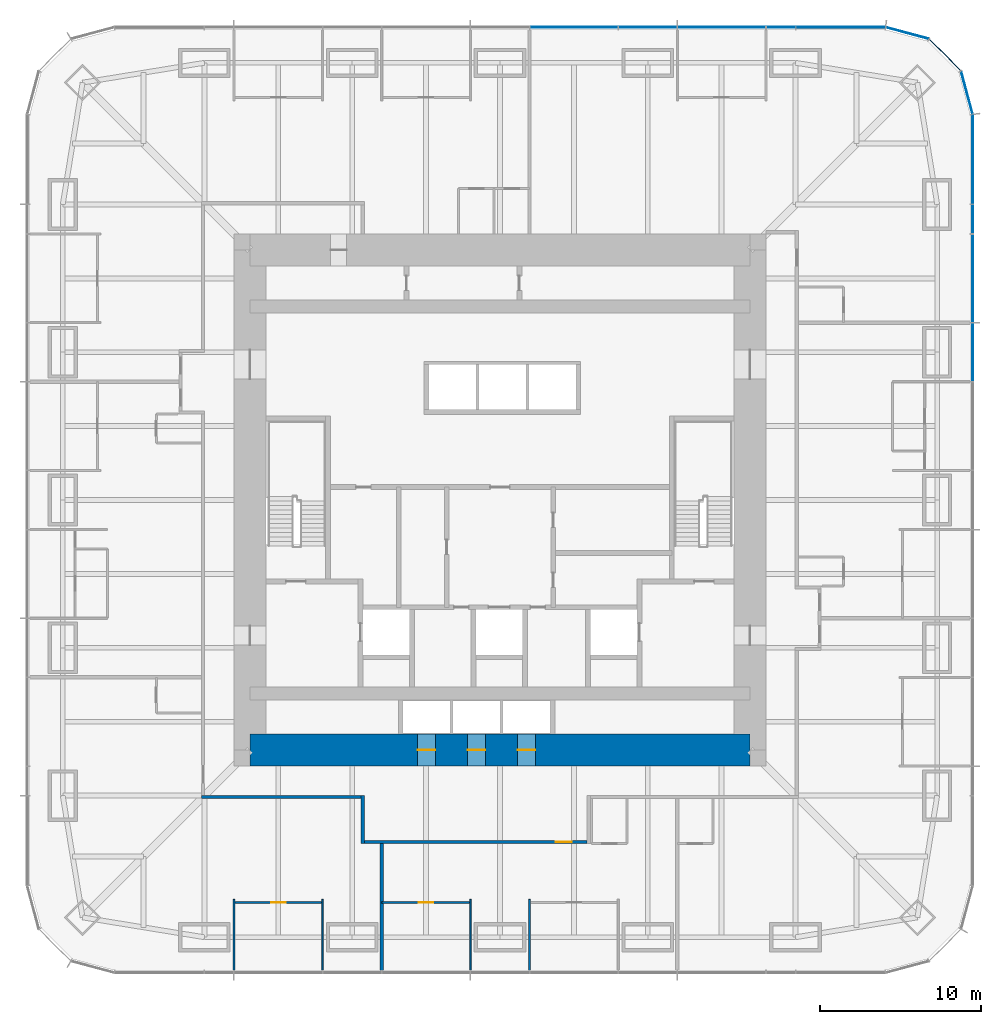
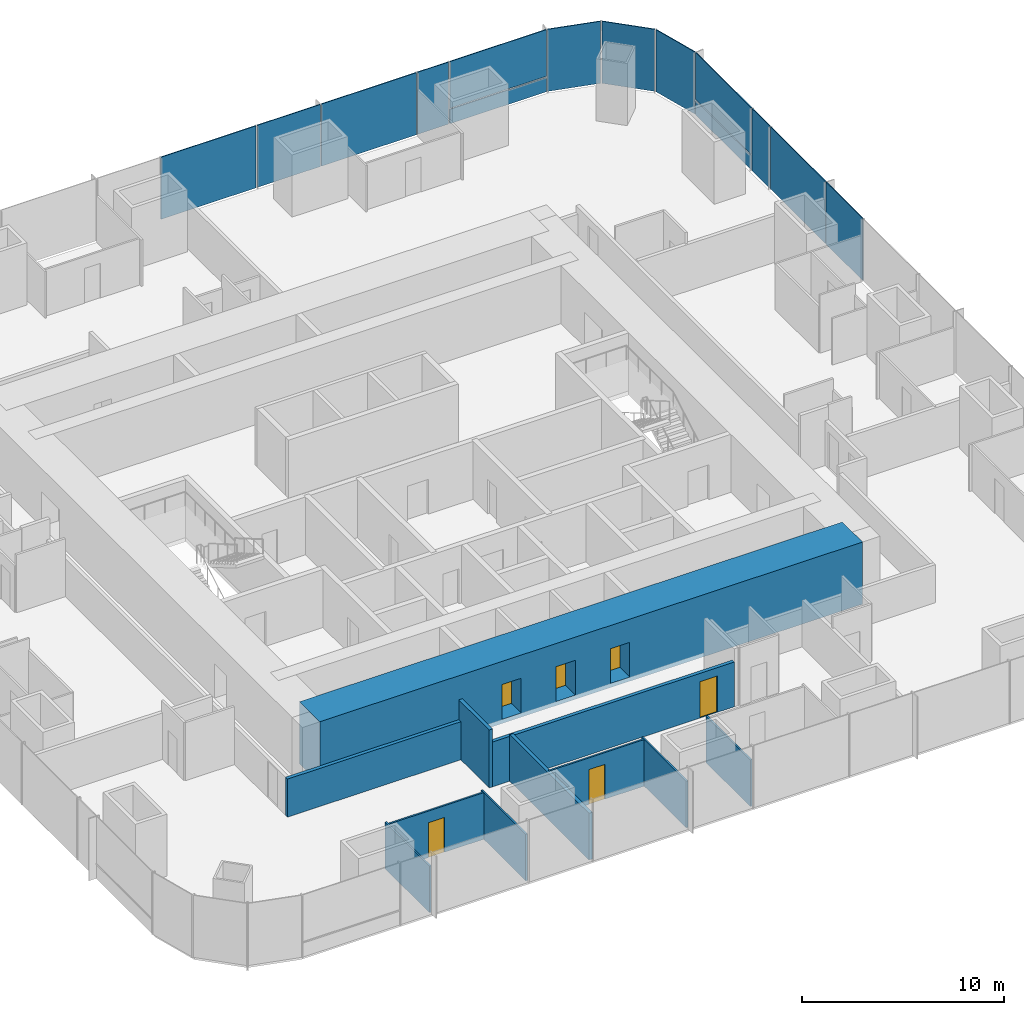
# One storey, part 8 of 13: 14 plates, 11 walls, 6 doors, 6 openings, 3 elements without a shape of their own.
"""IFC4 building model written with IfcOpenShell, lengths in metres."""

import ifcopenshell
import ifcopenshell.guid

model = None  # the IFC model being written
_history = None  # IfcOwnerHistory: only IFC2X3 demands one
_inside = {}  # id of a spatial element -> (the spatial element, [elements in it])
_under = {}  # id of a project, library or spatial element -> (it, [spatial elements below it])
_declared = {}  # id of a project -> (the project, [libraries it declares])
_typed = {}  # id of a type object -> (the type object, [elements of that type])
_made_of = {}  # id of a material, layer set ... -> (it, [elements and type objects made of it])


def new_model(schema):
    """Start an empty IFC model of exactly this schema.

    Asked for "IFC4X3", IfcOpenShell would pick the latest addendum, in which some entities
    have other attributes; the version numbers below select the first issue.
    IFC2X3 requires an IfcOwnerHistory on every rooted entity: one is made here for all.
    """
    global model, _history
    if schema == "IFC4X3":
        model = ifcopenshell.file(schema_version=(4, 3, 0, 0))
    else:
        model = ifcopenshell.file(schema=schema)
    _inside.clear()
    _under.clear()
    _declared.clear()
    _typed.clear()
    _made_of.clear()
    _history = None
    if model.schema == "IFC2X3":
        org = make("IfcOrganization", Name="unknown")
        user = make(
            "IfcPersonAndOrganization",
            ThePerson=make("IfcPerson", FamilyName="unknown"),
            TheOrganization=org,
        )
        app = make(
            "IfcApplication",
            ApplicationDeveloper=org,
            Version="unknown",
            ApplicationFullName="unknown",
            ApplicationIdentifier="unknown",
        )
        _history = make(
            "IfcOwnerHistory",
            OwningUser=user,
            OwningApplication=app,
            ChangeAction="ADDED",
            CreationDate=0,
        )
    return model


def make(cls, **values):
    """One entity of the class cls with the attributes given. An attribute that is None is left unset."""
    return model.create_entity(
        cls, **{name: value for name, value in values.items() if value is not None}
    )


def rooted(cls, **values):
    """An entity with a GlobalId (a new one), such as an element, a storey or a relation."""
    return make(cls, GlobalId=ifcopenshell.guid.new(), OwnerHistory=_history, **values)


def si_unit(unit_type, name, prefix=None):
    """IfcSIUnit, for example si_unit("LENGTHUNIT", "METRE", prefix="MILLI")."""
    return make("IfcSIUnit", UnitType=unit_type, Prefix=prefix, Name=name)


def assignment(units):
    """IfcUnitAssignment: the units of a project."""
    return None if units is None else make("IfcUnitAssignment", Units=units)


def point(xyz):
    """IfcCartesianPoint."""
    return None if xyz is None else make("IfcCartesianPoint", Coordinates=xyz)


def direction(xyz):
    """IfcDirection."""
    return None if xyz is None else make("IfcDirection", DirectionRatios=xyz)


def frame(location, z_axis=None, x_axis=None):
    """IfcAxis2Placement3D, a coordinate frame: its origin and axes. An axis left out is left unset."""
    return make(
        "IfcAxis2Placement3D",
        Location=point(location),
        Axis=direction(z_axis),
        RefDirection=direction(x_axis),
    )


def frame_2d(location, x_axis=None):
    """IfcAxis2Placement2D, a coordinate frame in the plane: its origin and x axis."""
    return make(
        "IfcAxis2Placement2D", Location=point(location), RefDirection=direction(x_axis)
    )


def origin():
    """The frame at (0, 0, 0) with its axes left unset."""
    return frame((0.0, 0.0, 0.0))


def origin_2d():
    """The frame at (0, 0) in the plane with its x axis left unset."""
    return frame_2d((0.0, 0.0))


def place(relative_to, where):
    """IfcLocalPlacement: puts the frame where relative to a parent placement (None: the world)."""
    return make(
        "IfcLocalPlacement", PlacementRelTo=relative_to, RelativePlacement=where
    )


def context(
    kind, dimensions, precision=None, world=None, true_north=None, identifier=None
):
    """IfcGeometricRepresentationContext, for example the 3D "Model" context."""
    return make(
        "IfcGeometricRepresentationContext",
        ContextIdentifier=identifier,
        ContextType=kind,
        CoordinateSpaceDimension=dimensions,
        Precision=precision,
        WorldCoordinateSystem=world,
        TrueNorth=true_north,
    )


def subcontext(parent, identifier, kind, view, scale=None):
    """IfcGeometricRepresentationSubContext, for example "Body" below "Model"."""
    return make(
        "IfcGeometricRepresentationSubContext",
        ContextIdentifier=identifier,
        ContextType=kind,
        ParentContext=parent,
        TargetScale=scale,
        TargetView=view,
    )


def project(units=None, contexts=None):
    """IfcProject with its units and contexts."""
    return rooted(
        "IfcProject",
        Name="project",
        RepresentationContexts=contexts,
        UnitsInContext=assignment(units),
    )


def spatial(cls, under=None, at=None, **own):
    """A site, building, storey or space (cls), placed at a placement, below another one or the project."""
    s = rooted(cls, ObjectPlacement=at, **own)
    if under is not None:
        _under.setdefault(under.id(), (under, []))[1].append(s)
    return s


def profile(cls, at=None, kind="AREA", **sizes):
    """A parametric profile (cls). Its sizes go by their IFC names, for example OverallWidth=200.0."""
    return make(cls, ProfileType=kind, Position=at, **sizes)


def rectangle(**sizes):
    """IfcRectangleProfileDef."""
    return profile("IfcRectangleProfileDef", **sizes)


def extrude(swept, where, along, depth):
    """IfcExtrudedAreaSolid: the profile swept, set in the frame where, extruded along a direction by depth."""
    return make(
        "IfcExtrudedAreaSolid",
        SweptArea=swept,
        Position=where,
        ExtrudedDirection=direction(along),
        Depth=depth,
    )


def shape(context_of_items, identifier, shape_type, items):
    """IfcShapeRepresentation: the items that make up one representation, for example the "Body"."""
    return make(
        "IfcShapeRepresentation",
        ContextOfItems=context_of_items,
        RepresentationIdentifier=identifier,
        RepresentationType=shape_type,
        Items=items,
    )


def material(Name=None, Category=None):
    """IfcMaterial."""
    return make("IfcMaterial", Name=Name, Category=Category)


def layer(
    of_material, thickness, ventilated=None, Name=None, Category=None, Priority=None
):
    """IfcMaterialLayer: one layer of a wall or slab, of a material (None: an air gap)."""
    return make(
        "IfcMaterialLayer",
        Material=of_material,
        LayerThickness=thickness,
        IsVentilated=ventilated,
        Name=Name,
        Category=Category,
        Priority=Priority,
    )


def layer_set(layers, Name=None):
    """IfcMaterialLayerSet."""
    return make("IfcMaterialLayerSet", MaterialLayers=layers, LayerSetName=Name)


def made_of(thing, what):
    """Note that an element or type object is made of a material, layer set ...; save() writes the relation."""
    if what is not None:
        _made_of.setdefault(what.id(), (what, []))[1].append(thing)
    return thing


def type_object(cls, material=None, **own):
    """A type object (cls), such as IfcWallType, which elements share."""
    return made_of(rooted(cls, **own), material)


def element(
    cls,
    number,
    at=None,
    inside=None,
    cuts=None,
    type_object=None,
    material=None,
    context=None,
    identifier="Body",
    shape_type=None,
    held_by="IfcProductDefinitionShape",
    body=None,
    shapes=None,
    **own,
):
    """One element of the class cls, such as IfcWall. Its Tag is "e" and its number.

    at: its placement. inside: the storey or other place that contains it. cuts: it is an
    opening in that element (IfcRelVoidsElement). A single representation is given by context,
    identifier, shape_type and body (its items); several are given by shapes. held_by: the class
    of the entity that holds the representations. save() writes the other relations.
    """
    e = rooted(cls, Tag="e%d" % number, ObjectPlacement=at, **own)
    if body is not None:
        shapes = [shape(context, identifier, shape_type, body)]
    if shapes is not None:
        e.Representation = make(held_by, Representations=shapes)
    if inside is not None:
        _inside.setdefault(inside.id(), (inside, []))[1].append(e)
    if cuts is not None:
        rooted(
            "IfcRelVoidsElement", RelatingBuildingElement=cuts, RelatedOpeningElement=e
        )
    if type_object is not None:
        _typed.setdefault(type_object.id(), (type_object, []))[1].append(e)
    return made_of(e, material)


def fill(opening, filler):
    """IfcRelFillsElement: the door or window that sits in an opening."""
    return rooted(
        "IfcRelFillsElement",
        RelatingOpeningElement=opening,
        RelatedBuildingElement=filler,
    )


def aggregate(whole, parts):
    """IfcRelAggregates: a whole, such as a stair, and the parts it consists of."""
    return rooted("IfcRelAggregates", RelatingObject=whole, RelatedObjects=parts)


def save(model, path):
    """Write the relations noted so far, then the file.

    IfcRelAggregates (storeys below a building ...), IfcRelContainedInSpatialStructure (elements
    in a storey), IfcRelDefinesByType, IfcRelAssociatesMaterial and IfcRelDeclares: one each for
    every whole, place, type object, material and project.
    """
    for whole, parts in _under.values():
        aggregate(whole, parts)
    for where, things in _inside.values():
        rooted(
            "IfcRelContainedInSpatialStructure",
            RelatedElements=things,
            RelatingStructure=where,
        )
    for kind, things in _typed.values():
        rooted("IfcRelDefinesByType", RelatedObjects=things, RelatingType=kind)
    for what, things in _made_of.values():
        rooted("IfcRelAssociatesMaterial", RelatedObjects=things, RelatingMaterial=what)
    for by, libraries in _declared.values():
        rooted("IfcRelDeclares", RelatingContext=by, RelatedDefinitions=libraries)
    model.write(path)


model = new_model("IFC4")

# Units and contexts
model_context = context("Model", 3, precision=1e-05, world=origin(), true_north=direction((0.0, 1.0)))
body_context = subcontext(model_context, "Body", "Model", "MODEL_VIEW")
ifc_project = project(units=[si_unit("LENGTHUNIT", "METRE"), si_unit("AREAUNIT", "SQUARE_METRE"), si_unit("VOLUMEUNIT", "CUBIC_METRE"), si_unit("PLANEANGLEUNIT", "RADIAN"), si_unit("MASSUNIT", "GRAM", prefix="KILO")], contexts=[model_context])

# Site, building, storey
site_placement = place(None, origin())
site = spatial("IfcSite", under=ifc_project, at=site_placement, CompositionType="ELEMENT")
building_placement = place(site_placement, origin())
building = spatial("IfcBuilding", under=site, at=building_placement, Name="Khuree Lantern Residences", CompositionType="ELEMENT")
storey_placement = place(building_placement, frame((0.0, 0.0, 114.75)))
storey = spatial("IfcBuildingStorey", under=building, at=storey_placement, Name="L28", CompositionType="ELEMENT", Elevation=114.75)

# Curtain wall, plates
ifc_material_1 = material(Name="Bronze anodised aluminium", Category="aluminium")
curtain_wall_type_1 = type_object("IfcCurtainWallType", Name="CW-T2 TOWER CORNER CURTAIN WALL", PredefinedType="USERDEFINED", material=ifc_material_1)
curtain_wall_1_placement = place(storey_placement, origin())
curtain_wall_1 = element("IfcCurtainWall", 1, at=curtain_wall_1_placement, inside=storey, type_object=curtain_wall_type_1, Name="L28 NORTH-EAST CORNER CURTAIN WALL", ObjectType="Faceted corner curtain wall", PredefinedType="USERDEFINED")
ifc_material_2 = material(Name="Bronze tinted triple glazing", Category="glass")
ifc_layer_1 = layer(ifc_material_2, 0.048095703125)
ifc_layer_set_1 = layer_set([ifc_layer_1], Name="FACET PANEL P4")
plate_type_1 = type_object("IfcPlateType", Name="FACET PANEL P4", PredefinedType="CURTAIN_PANEL", material=ifc_layer_set_1)
plate_1_placement = place(storey_placement, frame((28.938720703125, 25.248046875, 0.0), z_axis=(0.0, 0.0, 1.0), x_axis=(-0.258819105321, 0.965925810153, 0.0)))
plate_1 = element("IfcPlate", 2, at=plate_1_placement, type_object=plate_type_1, Name="L28 NORTH-EAST CORNER PANEL 15.1", PredefinedType="CURTAIN_PANEL", context=body_context, shape_type="SweptSolid", body=[
    extrude(rectangle(XDim=2.71923828125, YDim=0.048095703125, at=origin_2d()), origin(), (0.0, 0.0, 1.0), 3.75),
])
plate_2_placement = place(storey_placement, frame((27.58837890625, 27.58837890625, 0.0), z_axis=(0.0, 0.0, 1.0), x_axis=(-0.707106781187, 0.707106781187, 0.0)))
plate_2 = element("IfcPlate", 3, at=plate_2_placement, type_object=plate_type_1, Name="L28 NORTH-EAST CORNER PANEL 16.1", PredefinedType="CURTAIN_PANEL", context=body_context, shape_type="SweptSolid", body=[
    extrude(rectangle(XDim=2.715087890625, YDim=0.048095703125, at=origin_2d()), origin(), (0.0, 0.0, 1.0), 3.75),
])
plate_3_placement = place(storey_placement, frame((25.248046875, 28.938720703125, 0.0), z_axis=(0.0, 0.0, 1.0), x_axis=(-0.965925810153, 0.258819105321, 0.0)))
plate_3 = element("IfcPlate", 4, at=plate_3_placement, type_object=plate_type_1, Name="L28 NORTH-EAST CORNER PANEL 17.1", PredefinedType="CURTAIN_PANEL", context=body_context, shape_type="SweptSolid", body=[
    extrude(rectangle(XDim=2.71923828125, YDim=0.048095703125, at=origin_2d()), origin(), (0.0, 0.0, 1.0), 3.75),
])
aggregate(curtain_wall_1, [plate_1, plate_2, plate_3])

# Curtain wall, plate
curtain_wall_type_2 = type_object("IfcCurtainWallType", Name="CW-T1 TOWER FACE CURTAIN WALL", PredefinedType="USERDEFINED", material=ifc_material_1)
curtain_wall_2_placement = place(storey_placement, origin())
curtain_wall_2 = element("IfcCurtainWall", 5, at=curtain_wall_2_placement, inside=storey, type_object=curtain_wall_type_2, Name="L28 EAST FACE CURTAIN WALL", ObjectType="Stick-built curtain wall", PredefinedType="USERDEFINED")
ifc_material_3 = material(Name="Bronze tinted triple glazing with a ceramic-fritted spandrel band", Category="glass")
ifc_layer_2 = layer(ifc_material_3, 0.048095703125)
ifc_layer_set_2 = layer_set([ifc_layer_2], Name="FIXED LIGHT PANEL P11")
plate_type_2 = type_object("IfcPlateType", Name="FIXED LIGHT PANEL P11", PredefinedType="CURTAIN_PANEL", material=ifc_layer_set_2)
plate_4_placement = place(storey_placement, frame((29.300048828125, 13.739990234375, 0.0), z_axis=(0.0, 0.0, 1.0), x_axis=(0.0, 1.0, 0.0)))
plate_4 = element("IfcPlate", 6, at=plate_4_placement, type_object=plate_type_2, Name="L28 EAST FACE PANEL 12.1", PredefinedType="CURTAIN_PANEL", context=body_context, shape_type="SweptSolid", body=[
    extrude(rectangle(XDim=5.430908203125, YDim=0.048095703125, at=origin_2d()), origin(), (0.0, 0.0, 1.0), 3.75),
])

# Curtain wall, plates
curtain_wall_3_placement = place(storey_placement, origin())
curtain_wall_3 = element("IfcCurtainWall", 7, at=curtain_wall_3_placement, inside=storey, type_object=curtain_wall_type_2, Name="L28 NORTH FACE CURTAIN WALL", ObjectType="Stick-built curtain wall", PredefinedType="USERDEFINED")
plate_5_placement = place(storey_placement, frame((13.739990234375, 29.300048828125, 0.0), z_axis=(0.0, 0.0, 1.0), x_axis=(-1.0, 0.0, 0.0)))
plate_5 = element("IfcPlate", 8, at=plate_5_placement, type_object=plate_type_2, Name="L28 NORTH FACE PANEL 20.1", PredefinedType="CURTAIN_PANEL", context=body_context, shape_type="SweptSolid", body=[
    extrude(rectangle(XDim=5.430908203125, YDim=0.048095703125, at=origin_2d()), origin(), (0.0, 0.0, 1.0), 3.75),
])
plate_6_placement = place(storey_placement, frame((4.580078125, 29.300048828125, 0.0), z_axis=(0.0, 0.0, 1.0), x_axis=(-1.0, 0.0, 0.0)))
plate_6 = element("IfcPlate", 9, at=plate_6_placement, type_object=plate_type_2, Name="L28 NORTH FACE PANEL 22.1", PredefinedType="CURTAIN_PANEL", context=body_context, shape_type="SweptSolid", body=[
    extrude(rectangle(XDim=5.430908203125, YDim=0.048095703125, at=origin_2d()), origin(), (0.0, 0.0, 1.0), 3.75),
])

# Plate
ifc_material_4 = material(Name="Bronze tinted triple glazing, two aluminium-framed sashes in one frame", Category="aluminium")
ifc_layer_3 = layer(ifc_material_4, 0.048095703125)
ifc_layer_set_3 = layer_set([ifc_layer_3], Name="SASH PAIR PANEL P12")
plate_type_3 = type_object("IfcPlateType", Name="SASH PAIR PANEL P12", PredefinedType="CURTAIN_PANEL", material=ifc_layer_set_3)
plate_7_placement = place(storey_placement, frame((29.300048828125, 9.159912109375, 0.0), z_axis=(0.0, 0.0, 1.0), x_axis=(0.0, 1.0, 0.0)))
plate_7 = element("IfcPlate", 10, at=plate_7_placement, type_object=plate_type_3, Name="L28 EAST FACE PANEL 11.1", PredefinedType="CURTAIN_PANEL", context=body_context, shape_type="SweptSolid", body=[
    extrude(rectangle(XDim=3.59912109375, YDim=0.048095703125, at=origin_2d()), origin(), (0.0, 0.0, 1.0), 3.75),
])

plate_8_placement = place(storey_placement, frame((9.159912109375, 29.300048828125, 0.0), z_axis=(0.0, 0.0, 1.0), x_axis=(-1.0, 0.0, 0.0)))
plate_8 = element("IfcPlate", 11, at=plate_8_placement, type_object=plate_type_3, Name="L28 NORTH FACE PANEL 21.1", PredefinedType="CURTAIN_PANEL", context=body_context, shape_type="SweptSolid", body=[
    extrude(rectangle(XDim=3.59912109375, YDim=0.048095703125, at=origin_2d()), origin(), (0.0, 0.0, 1.0), 3.75),
])

ifc_material_5 = material(Name="Bronze tinted triple glazing, aluminium-framed sash", Category="aluminium")
ifc_layer_4 = layer(ifc_material_5, 0.048095703125)
ifc_layer_set_4 = layer_set([ifc_layer_4], Name="SASH PANEL P3")
plate_type_4 = type_object("IfcPlateType", Name="SASH PANEL P3", PredefinedType="CURTAIN_PANEL", material=ifc_layer_set_4)
plate_9_placement = place(storey_placement, frame((29.300048828125, 17.404052734375, 0.0), z_axis=(0.0, 0.0, 1.0), x_axis=(0.0, 1.0, 0.0)))
plate_9 = element("IfcPlate", 12, at=plate_9_placement, type_object=plate_type_4, Name="L28 EAST FACE PANEL 13.1", PredefinedType="CURTAIN_PANEL", context=body_context, shape_type="SweptSolid", body=[
    extrude(rectangle(XDim=1.76708984375, YDim=0.048095703125, at=origin_2d()), origin(), (0.0, 0.0, 1.0), 3.75),
])

plate_10_placement = place(storey_placement, frame((17.404052734375, 29.300048828125, 0.0), z_axis=(0.0, 0.0, 1.0), x_axis=(-1.0, 0.0, 0.0)))
plate_10 = element("IfcPlate", 13, at=plate_10_placement, type_object=plate_type_4, Name="L28 NORTH FACE PANEL 19.1", PredefinedType="CURTAIN_PANEL", context=body_context, shape_type="SweptSolid", body=[
    extrude(rectangle(XDim=1.76708984375, YDim=0.048095703125, at=origin_2d()), origin(), (0.0, 0.0, 1.0), 3.75),
])

ifc_material_6 = material(Name="Bronze anodised aluminium insulated spandrel", Category="aluminium")
ifc_layer_5 = layer(ifc_material_6, 0.06005859375)
ifc_layer_set_5 = layer_set([ifc_layer_5], Name="SPANDREL PANEL P2")
plate_type_5 = type_object("IfcPlateType", Name="SPANDREL PANEL P2", PredefinedType="CURTAIN_PANEL", material=ifc_layer_set_5)
plate_11_placement = place(storey_placement, frame((29.300048828125, 21.10791015625, 0.0), z_axis=(0.0, 0.0, 1.0), x_axis=(0.0, 1.0, 0.0)))
plate_11 = element("IfcPlate", 14, at=plate_11_placement, type_object=plate_type_5, Name="L28 EAST FACE PANEL 14.1", PredefinedType="CURTAIN_PANEL", context=body_context, shape_type="SweptSolid", body=[
    extrude(rectangle(XDim=5.5107421875, YDim=0.06005859375, at=origin_2d()), origin(), (0.0, 0.0, 1.0), 0.867431640625),
])

plate_12_placement = place(storey_placement, frame((21.10791015625, 29.300048828125, 0.0), z_axis=(0.0, 0.0, 1.0), x_axis=(-1.0, 0.0, 0.0)))
plate_12 = element("IfcPlate", 15, at=plate_12_placement, type_object=plate_type_5, Name="L28 NORTH FACE PANEL 18.1", PredefinedType="CURTAIN_PANEL", context=body_context, shape_type="SweptSolid", body=[
    extrude(rectangle(XDim=5.5107421875, YDim=0.06005859375, at=origin_2d()), origin(), (0.0, 0.0, 1.0), 0.867431640625),
])

ifc_layer_6 = layer(ifc_material_2, 0.048095703125)
ifc_layer_set_6 = layer_set([ifc_layer_6], Name="VISION PANEL P1")
plate_type_6 = type_object("IfcPlateType", Name="VISION PANEL P1", PredefinedType="CURTAIN_PANEL", material=ifc_layer_set_6)
plate_13_placement = place(storey_placement, frame((29.300048828125, 21.1083984375, 0.9326171875), z_axis=(0.0, 0.0, 1.0), x_axis=(0.0, 1.0, 0.0)))
plate_13 = element("IfcPlate", 16, at=plate_13_placement, type_object=plate_type_6, Name="L28 EAST FACE PANEL 14.2", PredefinedType="CURTAIN_PANEL", context=body_context, shape_type="SweptSolid", body=[
    extrude(rectangle(XDim=5.511474609375, YDim=0.048095703125, at=origin_2d()), origin(), (0.0, 0.0, 1.0), 2.8173828125),
])

aggregate(curtain_wall_2, [plate_7, plate_4, plate_9, plate_11, plate_13])

plate_14_placement = place(storey_placement, frame((21.1083984375, 29.300048828125, 0.9326171875), z_axis=(0.0, 0.0, 1.0), x_axis=(-1.0, 0.0, 0.0)))
plate_14 = element("IfcPlate", 17, at=plate_14_placement, type_object=plate_type_6, Name="L28 NORTH FACE PANEL 18.2", PredefinedType="CURTAIN_PANEL", context=body_context, shape_type="SweptSolid", body=[
    extrude(rectangle(XDim=5.511474609375, YDim=0.048095703125, at=origin_2d()), origin(), (0.0, 0.0, 1.0), 2.8173828125),
])

aggregate(curtain_wall_3, [plate_12, plate_14, plate_10, plate_5, plate_8, plate_6])

# Wall
ifc_material_7 = material(Name="Gypsum board on steel studs", Category="steel")
ifc_layer_7 = layer(ifc_material_7, 0.199951171875)
ifc_layer_set_7 = layer_set([ifc_layer_7], Name="CORRIDOR WALL CRW200 EI 60")
wall_type_1 = type_object("IfcWallType", Name="CORRIDOR WALL CRW200 EI 60", PredefinedType="PARTITIONING", material=ifc_layer_set_7)
wall_1_placement = place(storey_placement, frame((-8.5, -18.300048828125, 0.0), z_axis=(0.0, 0.0, 1.0), x_axis=(0.0, -1.0, 0.0)))
element("IfcWall", 18, at=wall_1_placement, inside=storey, type_object=wall_type_1, Name="L28 LIFT LOBBY WALL", PredefinedType="PARTITIONING", context=body_context, shape_type="SweptSolid", body=[
    extrude(rectangle(XDim=3.0, YDim=0.199951171875, at=frame_2d((1.5, 0.0))), origin(), (0.0, 0.0, 1.0), 3.5),
])

# Wall, opening, door
wall_2_placement = place(storey_placement, frame((5.39990234375, -21.199951171875, 0.0), z_axis=(0.0, 0.0, 1.0), x_axis=(-1.0, 0.0, 0.0)))
wall_2 = element("IfcWall", 19, at=wall_2_placement, inside=storey, type_object=wall_type_1, Name="L28 LIFT LOBBY WALL", PredefinedType="PARTITIONING", context=body_context, shape_type="SweptSolid", body=[
    extrude(rectangle(XDim=13.7998046875, YDim=0.199951171875, at=frame_2d((6.89990234375, 0.0))), origin(), (0.0, 0.0, 1.0), 2.699951171875),
])
opening_1_placement = place(wall_2_placement, frame((0.9580078125, 0.0, 0.0)))
opening_1 = element("IfcOpeningElement", 20, at=opening_1_placement, cuts=wall_2, Name="Opening 28-048", PredefinedType="OPENING", context=body_context, shape_type="SweptSolid", body=[
    extrude(rectangle(XDim=1.0, YDim=2.199951171875, at=frame_2d((0.5, 1.10009765625))), frame((0.0, 0.10986328125, 0.0), z_axis=(0.0, -1.0, 0.0), x_axis=(1.0, 0.0, 0.0)), (0.0, 0.0, 1.0), 0.219970703125),
])
ifc_material_8 = material(Name="Timber door leaf in hardwood frame", Category="wood")
door_type_1 = type_object("IfcDoorType", Name="APARTMENT ENTRANCE DOOR 1000X2200 EI 30S", OperationType="SINGLE_SWING_LEFT", PredefinedType="DOOR", material=ifc_material_8)
door_1_placement = place(opening_1_placement, origin())
door_1 = element("IfcDoor", 21, at=door_1_placement, inside=storey, type_object=door_type_1, Name="Apartment 06 entrance door 28-048", OperationType="SINGLE_SWING_LEFT", OverallHeight=2.199951171875, OverallWidth=1.0, PredefinedType="DOOR", context=body_context, shape_type="SweptSolid", body=[
    extrude(rectangle(XDim=1.0, YDim=2.199951171875, at=frame_2d((0.5, 1.10009765625))), frame((0.0, 0.02490234375, 0.0), z_axis=(0.0, -1.0, 0.0), x_axis=(1.0, 0.0, 0.0)), (0.0, 0.0, 1.0), 0.050048828125),
])
fill(opening_1, door_1)

# Wall
wall_3_placement = place(storey_placement, frame((-8.60009765625, -18.39990234375, 0.0), z_axis=(0.0, 0.0, 1.0), x_axis=(-1.0, 0.0, 0.0)))
element("IfcWall", 22, at=wall_3_placement, inside=storey, type_object=wall_type_1, Name="L28 CORRIDOR WALL SOUTH 2", PredefinedType="PARTITIONING", context=body_context, shape_type="SweptSolid", body=[
    extrude(rectangle(XDim=9.89990234375, YDim=0.199951171875, at=frame_2d((4.949951171875, 0.0))), origin(), (0.0, 0.0, 1.0), 2.300048828125),
])

# Wall, openings, doors
ifc_material_9 = material(Name="Concrete C70/85", Category="concrete")
ifc_layer_8 = layer(ifc_material_9, 2.0)
ifc_layer_set_8 = layer_set([ifc_layer_8], Name="CW2000-C70 CORE WALL C70 2000")
wall_type_2 = type_object("IfcWallType", Name="CW2000-C70 CORE WALL C70 2000", PredefinedType="SHEAR", material=ifc_layer_set_8)
wall_4_placement = place(storey_placement, frame((-15.5, -15.5, -0.25), z_axis=(0.0, 0.0, 1.0), x_axis=(1.0, 0.0, 0.0)))
wall_4 = element("IfcWall", 23, at=wall_4_placement, inside=storey, type_object=wall_type_2, Name="Core wall S", PredefinedType="SHEAR", context=body_context, shape_type="SweptSolid", body=[
    extrude(rectangle(XDim=31.0, YDim=2.0, at=frame_2d((15.5, 0.0))), origin(), (0.0, 0.0, 1.0), 3.75),
])
opening_2_placement = place(wall_4_placement, frame((10.39990234375, 0.0, 0.25)))
opening_2 = element("IfcOpeningElement", 24, at=opening_2_placement, cuts=wall_4, Name="Opening 28-009", PredefinedType="OPENING", context=body_context, shape_type="SweptSolid", body=[
    extrude(rectangle(XDim=1.10009765625, YDim=2.10009765625, at=frame_2d((0.550048828125, 1.050048828125))), frame((0.0, 1.010009765625, 0.0), z_axis=(0.0, -1.0, 0.0), x_axis=(1.0, 0.0, 0.0)), (0.0, 0.0, 1.0), 2.02001953125),
])
opening_3_placement = place(wall_4_placement, frame((13.5, 0.0, 0.25)))
opening_3 = element("IfcOpeningElement", 25, at=opening_3_placement, cuts=wall_4, Name="Opening 28-010", PredefinedType="OPENING", context=body_context, shape_type="SweptSolid", body=[
    extrude(rectangle(XDim=1.10009765625, YDim=2.10009765625, at=frame_2d((0.550048828125, 1.050048828125))), frame((0.0, 1.010009765625, 0.0), z_axis=(0.0, -1.0, 0.0), x_axis=(1.0, 0.0, 0.0)), (0.0, 0.0, 1.0), 2.02001953125),
])
opening_4_placement = place(wall_4_placement, frame((16.60009765625, 0.0, 0.25)))
opening_4 = element("IfcOpeningElement", 26, at=opening_4_placement, cuts=wall_4, Name="Opening 28-011", PredefinedType="OPENING", context=body_context, shape_type="SweptSolid", body=[
    extrude(rectangle(XDim=1.10009765625, YDim=2.10009765625, at=frame_2d((0.550048828125, 1.050048828125))), frame((0.0, 1.010009765625, 0.0), z_axis=(0.0, -1.0, 0.0), x_axis=(1.0, 0.0, 0.0)), (0.0, 0.0, 1.0), 2.02001953125),
])
ifc_material_10 = material(Name="Stainless steel lift landing door", Category="steel")
door_type_2 = type_object("IfcDoorType", Name="LIFT LANDING DOOR 1100X2100 E 60", OperationType="DOUBLE_DOOR_SLIDING", PredefinedType="DOOR", material=ifc_material_10)
door_2_placement = place(opening_2_placement, origin())
door_2 = element("IfcDoor", 27, at=door_2_placement, inside=storey, type_object=door_type_2, Name="Landing door PM1 28-009", OperationType="DOUBLE_DOOR_SLIDING", OverallHeight=2.10009765625, OverallWidth=1.10009765625, PredefinedType="DOOR", context=body_context, shape_type="SweptSolid", body=[
    extrude(rectangle(XDim=1.10009765625, YDim=2.10009765625, at=frame_2d((0.550048828125, 1.050048828125))), frame((0.0, 0.02490234375, 0.0), z_axis=(0.0, -1.0, 0.0), x_axis=(1.0, 0.0, 0.0)), (0.0, 0.0, 1.0), 0.050048828125),
])
fill(opening_2, door_2)
door_3_placement = place(opening_3_placement, origin())
door_3 = element("IfcDoor", 28, at=door_3_placement, inside=storey, type_object=door_type_2, Name="Landing door PM2 28-010", OperationType="DOUBLE_DOOR_SLIDING", OverallHeight=2.10009765625, OverallWidth=1.10009765625, PredefinedType="DOOR", context=body_context, shape_type="SweptSolid", body=[
    extrude(rectangle(XDim=1.10009765625, YDim=2.10009765625, at=frame_2d((0.550048828125, 1.050048828125))), frame((0.0, 0.02490234375, 0.0), z_axis=(0.0, -1.0, 0.0), x_axis=(1.0, 0.0, 0.0)), (0.0, 0.0, 1.0), 0.050048828125),
])
fill(opening_3, door_3)
door_4_placement = place(opening_4_placement, origin())
door_4 = element("IfcDoor", 29, at=door_4_placement, inside=storey, type_object=door_type_2, Name="Landing door PM3 28-011", OperationType="DOUBLE_DOOR_SLIDING", OverallHeight=2.10009765625, OverallWidth=1.10009765625, PredefinedType="DOOR", context=body_context, shape_type="SweptSolid", body=[
    extrude(rectangle(XDim=1.10009765625, YDim=2.10009765625, at=frame_2d((0.550048828125, 1.050048828125))), frame((0.0, 0.02490234375, 0.0), z_axis=(0.0, -1.0, 0.0), x_axis=(1.0, 0.0, 0.0)), (0.0, 0.0, 1.0), 0.050048828125),
])
fill(opening_4, door_4)

# Walls
ifc_layer_9 = layer(ifc_material_7, 0.199951171875)
ifc_layer_set_9 = layer_set([ifc_layer_9], Name="DEMISING WALL DMW200 EI 90")
wall_type_3 = type_object("IfcWallType", Name="DEMISING WALL DMW200 EI 90", PredefinedType="PARTITIONING", material=ifc_layer_set_9)
wall_5_placement = place(storey_placement, frame((-7.327880859375, -21.300048828125, 0.0), z_axis=(0.0, 0.0, 1.0), x_axis=(0.0, -1.0, 0.0)))
element("IfcWall", 30, at=wall_5_placement, inside=storey, type_object=wall_type_3, Name="L28 DEMISING WALL 06", PredefinedType="PARTITIONING", context=body_context, shape_type="SweptSolid", body=[
    extrude(rectangle(XDim=7.849853515625, YDim=0.199951171875, at=frame_2d((3.9248046875, 0.0))), origin(), (0.0, 0.0, 1.0), 2.81005859375),
])
ifc_layer_10 = layer(ifc_material_7, 0.10009765625)
ifc_layer_set_10 = layer_set([ifc_layer_10], Name="PARTITION PT100")
wall_type_4 = type_object("IfcWallType", Name="PARTITION PT100", PredefinedType="PARTITIONING", material=ifc_layer_set_10)
for number, where, z_axis, x_axis, name in (
    (31, (-16.488037109375, -24.75, 0.0), (0.0, 0.0, 1.0), (0.0, -1.0, 0.0), "L28 PARTITION 05"),
    (32, (-10.991943359375, -24.75, 0.0), (0.0, 0.0, 1.0), (0.0, -1.0, 0.0), "L28 PARTITION 05"),
    (33, (-1.83203125, -24.75, 0.0), (0.0, 0.0, 1.0), (0.0, -1.0, 0.0), "L28 PARTITION 06"),
    (34, (1.83203125, -24.75, 0.0), (0.0, 0.0, 1.0), (0.0, -1.0, 0.0), "L28 PARTITION 06"),
):
    element("IfcWall", number, at=place(storey_placement, frame(where, z_axis=z_axis, x_axis=x_axis)), inside=storey, type_object=wall_type_4, Name=name, PredefinedType="PARTITIONING", context=body_context, shape_type="SweptSolid", body=[
        extrude(rectangle(XDim=4.39990234375, YDim=0.10009765625, at=frame_2d((2.199951171875, 0.0))), origin(), (0.0, 0.0, 1.0), 2.81005859375),
    ])

# Wall, opening, door
wall_6_placement = place(storey_placement, frame((-16.488037109375, -24.949951171875, 0.0), z_axis=(0.0, 0.0, 1.0), x_axis=(1.0, 0.0, 0.0)))
wall_6 = element("IfcWall", 35, at=wall_6_placement, inside=storey, type_object=wall_type_4, Name="L28 PARTITION 05", PredefinedType="PARTITIONING", context=body_context, shape_type="SweptSolid", body=[
    extrude(rectangle(XDim=5.49609375, YDim=0.10009765625, at=frame_2d((2.748046875, 0.0))), origin(), (0.0, 0.0, 1.0), 2.81005859375),
])
opening_5_placement = place(wall_6_placement, frame((2.298095703125, 0.0, 0.0)))
opening_5 = element("IfcOpeningElement", 36, at=opening_5_placement, cuts=wall_6, Name="Opening 28-042", PredefinedType="OPENING", context=body_context, shape_type="SweptSolid", body=[
    extrude(rectangle(XDim=0.89990234375, YDim=2.10009765625, at=frame_2d((0.449951171875, 1.050048828125))), frame((0.0, 0.06005859375, 0.0), z_axis=(0.0, -1.0, 0.0), x_axis=(1.0, 0.0, 0.0)), (0.0, 0.0, 1.0), 0.1201171875),
])
door_type_3 = type_object("IfcDoorType", Name="BEDROOM DOOR 900X2100", OperationType="SINGLE_SWING_LEFT", PredefinedType="DOOR", material=ifc_material_8)
door_5_placement = place(opening_5_placement, origin())
door_5 = element("IfcDoor", 37, at=door_5_placement, inside=storey, type_object=door_type_3, Name="Bedroom door 28-042", OperationType="SINGLE_SWING_LEFT", OverallHeight=2.10009765625, OverallWidth=0.89990234375, PredefinedType="DOOR", context=body_context, shape_type="SweptSolid", body=[
    extrude(rectangle(XDim=0.89990234375, YDim=2.10009765625, at=frame_2d((0.449951171875, 1.050048828125))), frame((0.0, 0.02490234375, 0.0), z_axis=(0.0, -1.0, 0.0), x_axis=(1.0, 0.0, 0.0)), (0.0, 0.0, 1.0), 0.050048828125),
])
fill(opening_5, door_5)

wall_7_placement = place(storey_placement, frame((-7.327880859375, -24.949951171875, 0.0), z_axis=(0.0, 0.0, 1.0), x_axis=(1.0, 0.0, 0.0)))
wall_7 = element("IfcWall", 38, at=wall_7_placement, inside=storey, type_object=wall_type_4, Name="L28 PARTITION 06", PredefinedType="PARTITIONING", context=body_context, shape_type="SweptSolid", body=[
    extrude(rectangle(XDim=5.495849609375, YDim=0.10009765625, at=frame_2d((2.748046875, 0.0))), origin(), (0.0, 0.0, 1.0), 2.81005859375),
])
opening_6_placement = place(wall_7_placement, frame((2.298095703125, 0.0, 0.0)))
opening_6 = element("IfcOpeningElement", 39, at=opening_6_placement, cuts=wall_7, Name="Opening 28-045", PredefinedType="OPENING", context=body_context, shape_type="SweptSolid", body=[
    extrude(rectangle(XDim=0.89990234375, YDim=2.10009765625, at=frame_2d((0.449951171875, 1.050048828125))), frame((0.0, 0.06005859375, 0.0), z_axis=(0.0, -1.0, 0.0), x_axis=(1.0, 0.0, 0.0)), (0.0, 0.0, 1.0), 0.1201171875),
])
door_6_placement = place(opening_6_placement, origin())
door_6 = element("IfcDoor", 40, at=door_6_placement, inside=storey, type_object=door_type_3, Name="Bedroom door 28-045", OperationType="SINGLE_SWING_LEFT", OverallHeight=2.10009765625, OverallWidth=0.89990234375, PredefinedType="DOOR", context=body_context, shape_type="SweptSolid", body=[
    extrude(rectangle(XDim=0.89990234375, YDim=2.10009765625, at=frame_2d((0.449951171875, 1.050048828125))), frame((0.0, 0.02490234375, 0.0), z_axis=(0.0, -1.0, 0.0), x_axis=(1.0, 0.0, 0.0)), (0.0, 0.0, 1.0), 0.050048828125),
])
fill(opening_6, door_6)

save(model, "model.ifc")
